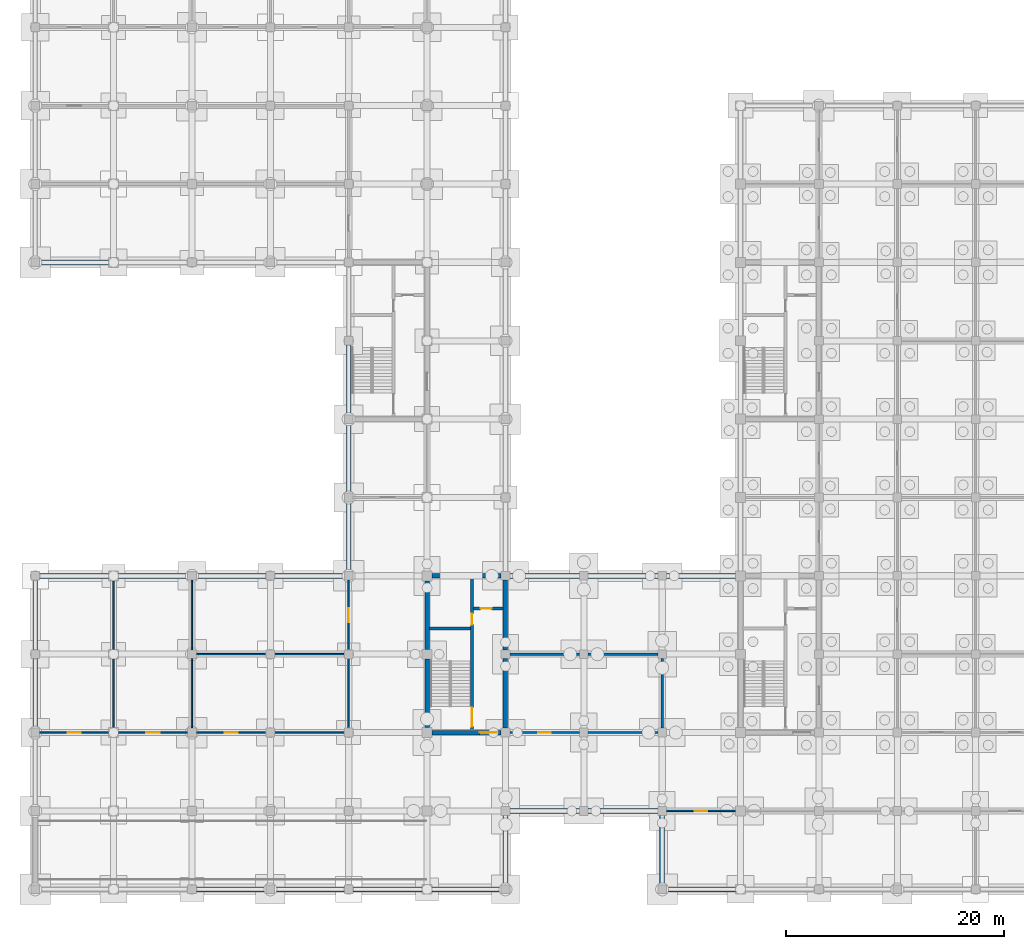
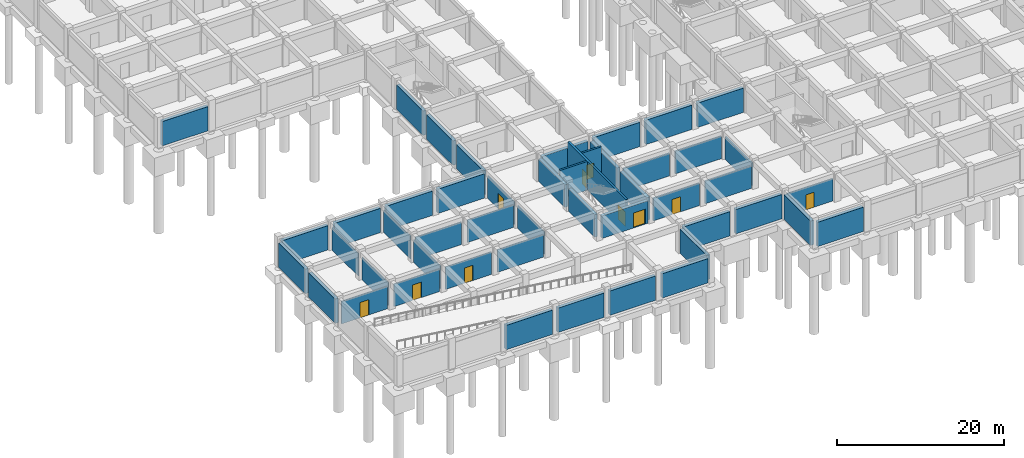
# One storey, part 14 of 25: 49 walls, 10 doors, 10 openings.
"""IFC4 building model written with IfcOpenShell, lengths in metres."""

from ifc_helpers import new_model, si_unit, direction, frame, frame_2d, origin, place, context, subcontext, project, spatial, rectangle, extrude, material, layer, layer_set, type_object, element, fill, save


model = new_model("IFC4")

# Units and contexts
model_context = context("Model", 3, precision=1e-05, world=origin(), true_north=direction((0.0, 1.0)))
body_context = subcontext(model_context, "Body", "Model", "MODEL_VIEW")
ifc_project = project(units=[si_unit("LENGTHUNIT", "METRE"), si_unit("AREAUNIT", "SQUARE_METRE"), si_unit("VOLUMEUNIT", "CUBIC_METRE"), si_unit("PLANEANGLEUNIT", "RADIAN"), si_unit("MASSUNIT", "GRAM", prefix="KILO")], contexts=[model_context])

# Site, building, storey
site_placement = place(None, origin())
site = spatial("IfcSite", under=ifc_project, at=site_placement, CompositionType="ELEMENT")
building_placement = place(site_placement, origin())
building = spatial("IfcBuilding", under=site, at=building_placement, Name="Cendaluz Park School", CompositionType="ELEMENT")
storey_placement = place(building_placement, frame((0.0, 0.0, -4.5)))
storey = spatial("IfcBuildingStorey", under=building, at=storey_placement, Name="B1", CompositionType="ELEMENT", Elevation=-4.5)

# Wall, opening, door
ifc_material_1 = material(Name="Gypsum Plasterboard on Cold-Formed Stud", Category="gypsum")
ifc_layer_1 = layer(ifc_material_1, 0.199951171875)
ifc_layer_set_1 = layer_set([ifc_layer_1], Name="Gypsum Plasterboard on Cold-Formed Stud")
wall_type_1 = type_object("IfcWallType", Name="W-AC20", PredefinedType="PARTITIONING", material=ifc_layer_set_1)
wall_1_placement = place(storey_placement, frame((43.60009765625, 14.39990234375, 0.0), z_axis=(0.0, 0.0, 1.0), x_axis=(1.0, 0.0, 0.0)))
wall_1 = element("IfcWall", 1, at=wall_1_placement, inside=storey, type_object=wall_type_1, Name="WL-BA-CF7", PredefinedType="PARTITIONING", context=body_context, shape_type="SweptSolid", body=[
    extrude(rectangle(XDim=6.39990234375, YDim=0.199951171875, at=frame_2d((3.199951171875, 0.0))), origin(), (0.0, 0.0, 1.0), 3.300048828125),
])
opening_1_placement = place(wall_1_placement, frame((2.6201171875, 0.0, 0.0)))
opening_1 = element("IfcOpeningElement", 2, at=opening_1_placement, cuts=wall_1, Name="Opening DCL-07", PredefinedType="OPENING", context=body_context, shape_type="SweptSolid", body=[
    extrude(rectangle(XDim=1.159912109375, YDim=2.219970703125, at=frame_2d((0.580078125, 1.10986328125))), frame((0.0, 0.112060546875, 0.0), z_axis=(0.0, -1.0, 0.0), x_axis=(1.0, 0.0, 0.0)), (0.0, 0.0, 1.0), 0.223876953125),
])
ifc_material_2 = material(Name="Solid Core Hardwood", Category="wood")
door_type_1 = type_object("IfcDoorType", Name="DCL-07", OperationType="NOTDEFINED", PredefinedType="DOOR", material=ifc_material_2)
door_1_placement = place(opening_1_placement, origin())
door_1 = element("IfcDoor", 3, at=door_1_placement, inside=storey, type_object=door_type_1, Name="D-B1-051", OperationType="SINGLE_SWING_RIGHT", OverallHeight=2.219970703125, OverallWidth=1.159912109375, PredefinedType="DOOR", context=body_context, shape_type="SweptSolid", body=[
    extrude(rectangle(XDim=1.159912109375, YDim=2.219970703125, at=frame_2d((0.580078125, 1.10986328125))), frame((0.0, 0.02490234375, 0.0), z_axis=(0.0, -1.0, 0.0), x_axis=(1.0, 0.0, 0.0)), (0.0, 0.0, 1.0), 0.050048828125),
])
fill(opening_1, door_1)

# Walls
for number, where, z_axis, x_axis, name in (
    (4, (43.60009765625, 21.60009765625, 0.0), (0.0, 0.0, 1.0), (1.0, 0.0, 0.0), "WL-BA-CF8"),
    (5, (50.800048828125, 14.39990234375, 0.0), (0.0, 0.0, 1.0), (1.0, 0.0, 0.0), "WL-BA-CF9"),
    (6, (50.800048828125, 21.60009765625, 0.0), (0.0, 0.0, 1.0), (1.0, 0.0, 0.0), "WL-BA-CG0"),
    (7, (57.60009765625, 14.800048828125, 0.0), (0.0, 0.0, 1.0), (0.0, 1.0, 0.0), "WL-BA-CG1"),
):
    element("IfcWall", number, at=place(storey_placement, frame(where, z_axis=z_axis, x_axis=x_axis)), inside=storey, type_object=wall_type_1, Name=name, PredefinedType="PARTITIONING", context=body_context, shape_type="SweptSolid", body=[
        extrude(rectangle(XDim=6.39990234375, YDim=0.199951171875, at=frame_2d((3.199951171875, 0.0))), origin(), (0.0, 0.0, 1.0), 3.300048828125),
    ])

# Wall, openings, doors
ifc_material_3 = material(Name="Concrete C40/50", Category="concrete")
ifc_layer_2 = layer(ifc_material_3, 0.280029296875)
ifc_layer_set_2 = layer_set([ifc_layer_2], Name="Concrete C40/50")
wall_type_2 = type_object("IfcWallType", Name="W-FW28", PredefinedType="SHEAR", material=ifc_layer_set_2)
wall_2_placement = place(storey_placement, frame((40.1201171875, 14.60009765625, 0.0), z_axis=(0.0, 0.0, 1.0), x_axis=(0.0, 1.0, 0.0)))
wall_2 = element("IfcWall", 8, at=wall_2_placement, inside=storey, type_object=wall_type_2, Name="WL-BA-BV0", PredefinedType="SHEAR", context=body_context, shape_type="SweptSolid", body=[
    extrude(rectangle(XDim=14.0, YDim=0.280029296875, at=frame_2d((7.0, 0.0))), origin(), (0.0, 0.0, 1.0), 4.199951171875),
])
opening_2_placement = place(wall_2_placement, frame((0.35009765625, 0.0, 0.0)))
opening_2 = element("IfcOpeningElement", 9, at=opening_2_placement, cuts=wall_2, Name="Opening DST-03", PredefinedType="OPENING", context=body_context, shape_type="SweptSolid", body=[
    extrude(rectangle(XDim=1.75, YDim=2.14990234375, at=frame_2d((0.875, 1.074951171875))), frame((0.0, 0.152099609375, 0.0), z_axis=(0.0, -1.0, 0.0), x_axis=(1.0, 0.0, 0.0)), (0.0, 0.0, 1.0), 0.303955078125),
])
opening_3_placement = place(wall_2_placement, frame((9.719970703125, 0.0, 0.0)))
opening_3 = element("IfcOpeningElement", 10, at=opening_3_placement, cuts=wall_2, Name="Opening DFC-01", PredefinedType="OPENING", context=body_context, shape_type="SweptSolid", body=[
    extrude(rectangle(XDim=1.0, YDim=2.14990234375, at=frame_2d((0.5, 1.074951171875))), frame((0.0, 0.152099609375, 0.0), z_axis=(0.0, -1.0, 0.0), x_axis=(1.0, 0.0, 0.0)), (0.0, 0.0, 1.0), 0.303955078125),
])
door_type_2 = type_object("IfcDoorType", Name="DFC-01", OperationType="NOTDEFINED", PredefinedType="DOOR", material=ifc_material_2)
door_2_placement = place(opening_3_placement, origin())
door_2 = element("IfcDoor", 11, at=door_2_placement, inside=storey, type_object=door_type_2, Name="D-B1-021", OperationType="SINGLE_SWING_LEFT", OverallHeight=2.14990234375, OverallWidth=1.0, PredefinedType="DOOR", context=body_context, shape_type="SweptSolid", body=[
    extrude(rectangle(XDim=1.0, YDim=2.14990234375, at=frame_2d((0.5, 1.074951171875))), frame((0.0, 0.02490234375, 0.0), z_axis=(0.0, -1.0, 0.0), x_axis=(1.0, 0.0, 0.0)), (0.0, 0.0, 1.0), 0.050048828125),
])
fill(opening_3, door_2)
door_type_3 = type_object("IfcDoorType", Name="DST-03", OperationType="DOUBLE_DOOR_SINGLE_SWING", PredefinedType="DOOR", material=ifc_material_2)
door_3_placement = place(opening_2_placement, origin())
door_3 = element("IfcDoor", 12, at=door_3_placement, inside=storey, type_object=door_type_3, Name="D-B1-020", OperationType="DOUBLE_DOOR_SINGLE_SWING", OverallHeight=2.14990234375, OverallWidth=1.75, PredefinedType="DOOR", context=body_context, shape_type="SweptSolid", body=[
    extrude(rectangle(XDim=1.75, YDim=2.14990234375, at=frame_2d((0.875, 1.074951171875))), frame((0.0, 0.02490234375, 0.0), z_axis=(0.0, -1.0, 0.0), x_axis=(1.0, 0.0, 0.0)), (0.0, 0.0, 1.0), 0.050048828125),
])
fill(opening_2, door_3)

# Wall
wall_3_placement = place(storey_placement, frame((36.199951171875, 23.97998046875, 0.0), z_axis=(0.0, 0.0, 1.0), x_axis=(1.0, 0.0, 0.0)))
element("IfcWall", 13, at=wall_3_placement, inside=storey, type_object=wall_type_2, Name="WL-BA-BV1", PredefinedType="SHEAR", context=body_context, shape_type="SweptSolid", body=[
    extrude(rectangle(XDim=3.780029296875, YDim=0.280029296875, at=frame_2d((1.89013671875, 0.0))), origin(), (0.0, 0.0, 1.0), 4.199951171875),
])

# Wall, opening, door
wall_4_placement = place(storey_placement, frame((40.280029296875, 25.800048828125, 0.0), z_axis=(0.0, 0.0, 1.0), x_axis=(1.0, 0.0, 0.0)))
wall_4 = element("IfcWall", 14, at=wall_4_placement, inside=storey, type_object=wall_type_2, Name="WL-BA-BV2", PredefinedType="SHEAR", context=body_context, shape_type="SweptSolid", body=[
    extrude(rectangle(XDim=2.679931640625, YDim=0.280029296875, at=frame_2d((1.33984375, 0.0))), origin(), (0.0, 0.0, 1.0), 4.199951171875),
])
opening_4_placement = place(wall_4_placement, frame((0.64990234375, 0.0, 0.0)))
opening_4 = element("IfcOpeningElement", 15, at=opening_4_placement, cuts=wall_4, Name="Opening DFC-01", PredefinedType="OPENING", context=body_context, shape_type="SweptSolid", body=[
    extrude(rectangle(XDim=1.0, YDim=2.14990234375, at=frame_2d((0.5, 1.074951171875))), frame((0.0, 0.152099609375, 0.0), z_axis=(0.0, -1.0, 0.0), x_axis=(1.0, 0.0, 0.0)), (0.0, 0.0, 1.0), 0.303955078125),
])
door_4_placement = place(opening_4_placement, frame((1.0, 0.0, 0.0), z_axis=(0.0, 0.0, 1.0), x_axis=(-1.0, 0.0, 0.0)))
door_4 = element("IfcDoor", 16, at=door_4_placement, inside=storey, type_object=door_type_2, Name="D-B1-022", OperationType="SINGLE_SWING_RIGHT", OverallHeight=2.14990234375, OverallWidth=1.0, PredefinedType="DOOR", context=body_context, shape_type="SweptSolid", body=[
    extrude(rectangle(XDim=1.0, YDim=2.14990234375, at=frame_2d((0.5, 1.074951171875))), frame((0.0, 0.02490234375, 0.0), z_axis=(0.0, -1.0, 0.0), x_axis=(1.0, 0.0, 0.0)), (0.0, 0.0, 1.0), 0.050048828125),
])
fill(opening_4, door_4)

# Walls
ifc_layer_3 = layer(ifc_material_3, 0.449951171875)
ifc_layer_set_3 = layer_set([ifc_layer_3], Name="Concrete C40/50")
wall_type_3 = type_object("IfcWallType", Name="W-RT45", PredefinedType="SOLIDWALL", material=ifc_layer_set_3)
wall_5_placement = place(storey_placement, frame((0.0, 14.800048828125, 0.0), z_axis=(0.0, 0.0, 1.0), x_axis=(0.0, 1.0, 0.0)))
element("IfcWall", 17, at=wall_5_placement, inside=storey, type_object=wall_type_3, Name="WL-BA-AA3", PredefinedType="SOLIDWALL", context=body_context, shape_type="SweptSolid", body=[
    extrude(rectangle(XDim=6.39990234375, YDim=0.449951171875, at=frame_2d((3.199951171875, 0.0))), origin(), (0.0, 0.0, 1.0), 3.570068359375),
])
wall_6_placement = place(storey_placement, frame((0.39990234375, 28.800048828125, 0.0), z_axis=(0.0, 0.0, 1.0), x_axis=(1.0, 0.0, 0.0)))
element("IfcWall", 18, at=wall_6_placement, inside=storey, type_object=wall_type_3, Name="WL-BA-AA4", PredefinedType="SOLIDWALL", context=body_context, shape_type="SweptSolid", body=[
    extrude(rectangle(XDim=6.35009765625, YDim=0.449951171875, at=frame_2d((3.175048828125, 0.0))), origin(), (0.0, 0.0, 1.0), 3.570068359375),
])
wall_7_placement = place(storey_placement, frame((0.0, 22.0, 0.0), z_axis=(0.0, 0.0, 1.0), x_axis=(0.0, 1.0, 0.0)))
element("IfcWall", 19, at=wall_7_placement, inside=storey, type_object=wall_type_3, Name="WL-BA-AA5", PredefinedType="SOLIDWALL", context=body_context, shape_type="SweptSolid", body=[
    extrude(rectangle(XDim=6.39990234375, YDim=0.449951171875, at=frame_2d((3.199951171875, 0.0))), origin(), (0.0, 0.0, 1.0), 3.570068359375),
])
for number, where, z_axis, x_axis, name in (
    (20, (0.39990234375, 57.60009765625, 0.0), (0.0, 0.0, 1.0), (1.0, 0.0, 0.0), "WL-BA-AA6"),
    (21, (7.64990234375, 28.800048828125, 0.0), (0.0, 0.0, 1.0), (1.0, 0.0, 0.0), "WL-BA-AB7"),
):
    element("IfcWall", number, at=place(storey_placement, frame(where, z_axis=z_axis, x_axis=x_axis)), inside=storey, type_object=wall_type_3, Name=name, PredefinedType="SOLIDWALL", context=body_context, shape_type="SweptSolid", body=[
        extrude(rectangle(XDim=6.35009765625, YDim=0.449951171875, at=frame_2d((3.175048828125, 0.0))), origin(), (0.0, 0.0, 1.0), 3.570068359375),
    ])
for number, where, z_axis, x_axis, name in (
    (22, (14.800048828125, 0.0, 0.0), (0.0, 0.0, 1.0), (1.0, 0.0, 0.0), "WL-BA-AC0"),
    (23, (14.800048828125, 28.800048828125, 0.0), (0.0, 0.0, 1.0), (1.0, 0.0, 0.0), "WL-BA-AC1"),
    (24, (22.0, 0.0, 0.0), (0.0, 0.0, 1.0), (1.0, 0.0, 0.0), "WL-BA-AC4"),
    (25, (22.0, 28.800048828125, 0.0), (0.0, 0.0, 1.0), (1.0, 0.0, 0.0), "WL-BA-AC5"),
):
    element("IfcWall", number, at=place(storey_placement, frame(where, z_axis=z_axis, x_axis=x_axis)), inside=storey, type_object=wall_type_3, Name=name, PredefinedType="SOLIDWALL", context=body_context, shape_type="SweptSolid", body=[
        extrude(rectangle(XDim=6.39990234375, YDim=0.449951171875, at=frame_2d((3.199951171875, 0.0))), origin(), (0.0, 0.0, 1.0), 3.570068359375),
    ])
wall_8_placement = place(storey_placement, frame((29.199951171875, 0.0, 0.0), z_axis=(0.0, 0.0, 1.0), x_axis=(1.0, 0.0, 0.0)))
element("IfcWall", 26, at=wall_8_placement, inside=storey, type_object=wall_type_3, Name="WL-BA-AC8", PredefinedType="SOLIDWALL", context=body_context, shape_type="SweptSolid", body=[
    extrude(rectangle(XDim=6.35009765625, YDim=0.449951171875, at=frame_2d((3.175048828125, 0.0))), origin(), (0.0, 0.0, 1.0), 3.570068359375),
])
for number, where, z_axis, x_axis, name in (
    (27, (28.800048828125, 29.199951171875, 0.0), (0.0, 0.0, 1.0), (0.0, 1.0, 0.0), "WL-BA-AC9"),
    (28, (28.800048828125, 36.39990234375, 0.0), (0.0, 0.0, 1.0), (0.0, 1.0, 0.0), "WL-BA-AD0"),
):
    element("IfcWall", number, at=place(storey_placement, frame(where, z_axis=z_axis, x_axis=x_axis)), inside=storey, type_object=wall_type_3, Name=name, PredefinedType="SOLIDWALL", context=body_context, shape_type="SweptSolid", body=[
        extrude(rectangle(XDim=6.400146484375, YDim=0.449951171875, at=frame_2d((3.2001953125, 0.0))), origin(), (0.0, 0.0, 1.0), 3.570068359375),
    ])
wall_9_placement = place(storey_placement, frame((36.449951171875, 0.0, 0.0), z_axis=(0.0, 0.0, 1.0), x_axis=(1.0, 0.0, 0.0)))
element("IfcWall", 29, at=wall_9_placement, inside=storey, type_object=wall_type_3, Name="WL-BA-AD2", PredefinedType="SOLIDWALL", context=body_context, shape_type="SweptSolid", body=[
    extrude(rectangle(XDim=6.35009765625, YDim=0.449951171875, at=frame_2d((3.175048828125, 0.0))), origin(), (0.0, 0.0, 1.0), 3.570068359375),
])
wall_10_placement = place(storey_placement, frame((43.199951171875, 0.39990234375, 0.0), z_axis=(0.0, 0.0, 1.0), x_axis=(0.0, 1.0, 0.0)))
element("IfcWall", 30, at=wall_10_placement, inside=storey, type_object=wall_type_3, Name="WL-BA-AD3", PredefinedType="SOLIDWALL", context=body_context, shape_type="SweptSolid", body=[
    extrude(rectangle(XDim=6.400146484375, YDim=0.449951171875, at=frame_2d((3.2001953125, 0.0))), origin(), (0.0, 0.0, 1.0), 3.570068359375),
])
for number, where, z_axis, x_axis, name in (
    (31, (43.60009765625, 7.199951171875, 0.0), (0.0, 0.0, 1.0), (1.0, 0.0, 0.0), "WL-BA-AE7"),
    (32, (43.60009765625, 28.800048828125, 0.0), (0.0, 0.0, 1.0), (1.0, 0.0, 0.0), "WL-BA-AE8"),
    (33, (50.800048828125, 7.199951171875, 0.0), (0.0, 0.0, 1.0), (1.0, 0.0, 0.0), "WL-BA-AE9"),
    (34, (50.800048828125, 28.800048828125, 0.0), (0.0, 0.0, 1.0), (1.0, 0.0, 0.0), "WL-BA-AF0"),
):
    element("IfcWall", number, at=place(storey_placement, frame(where, z_axis=z_axis, x_axis=x_axis)), inside=storey, type_object=wall_type_3, Name=name, PredefinedType="SOLIDWALL", context=body_context, shape_type="SweptSolid", body=[
        extrude(rectangle(XDim=6.39990234375, YDim=0.449951171875, at=frame_2d((3.199951171875, 0.0))), origin(), (0.0, 0.0, 1.0), 3.570068359375),
    ])
wall_11_placement = place(storey_placement, frame((58.0, 0.0, 0.0), z_axis=(0.0, 0.0, 1.0), x_axis=(1.0, 0.0, 0.0)))
element("IfcWall", 35, at=wall_11_placement, inside=storey, type_object=wall_type_3, Name="WL-BA-AF1", PredefinedType="SOLIDWALL", context=body_context, shape_type="SweptSolid", body=[
    extrude(rectangle(XDim=6.35009765625, YDim=0.449951171875, at=frame_2d((3.175048828125, 0.0))), origin(), (0.0, 0.0, 1.0), 3.570068359375),
])
wall_12_placement = place(storey_placement, frame((57.60009765625, 0.39990234375, 0.0), z_axis=(0.0, 0.0, 1.0), x_axis=(0.0, 1.0, 0.0)))
element("IfcWall", 36, at=wall_12_placement, inside=storey, type_object=wall_type_3, Name="WL-BA-AF2", PredefinedType="SOLIDWALL", context=body_context, shape_type="SweptSolid", body=[
    extrude(rectangle(XDim=6.400146484375, YDim=0.449951171875, at=frame_2d((3.2001953125, 0.0))), origin(), (0.0, 0.0, 1.0), 3.570068359375),
])
wall_13_placement = place(storey_placement, frame((58.0, 28.800048828125, 0.0), z_axis=(0.0, 0.0, 1.0), x_axis=(1.0, 0.0, 0.0)))
element("IfcWall", 37, at=wall_13_placement, inside=storey, type_object=wall_type_3, Name="WL-BA-AF3", PredefinedType="SOLIDWALL", context=body_context, shape_type="SweptSolid", body=[
    extrude(rectangle(XDim=6.35009765625, YDim=0.449951171875, at=frame_2d((3.175048828125, 0.0))), origin(), (0.0, 0.0, 1.0), 3.570068359375),
])
ifc_layer_4 = layer(ifc_material_3, 0.419921875)
ifc_layer_set_4 = layer_set([ifc_layer_4], Name="Concrete C40/50")
wall_type_4 = type_object("IfcWallType", Name="W-SH42", PredefinedType="SHEAR", material=ifc_layer_set_4)
wall_14_placement = place(storey_placement, frame((36.0, 14.85009765625, 0.0), z_axis=(0.0, 0.0, 1.0), x_axis=(0.0, 1.0, 0.0)))
element("IfcWall", 38, at=wall_14_placement, inside=storey, type_object=wall_type_4, Name="WL-BA-BU4", PredefinedType="SHEAR", context=body_context, shape_type="SweptSolid", body=[
    extrude(rectangle(XDim=6.2998046875, YDim=0.419921875, at=frame_2d((3.14990234375, 0.0))), origin(), (0.0, 0.0, 1.0), 3.300048828125),
])
wall_15_placement = place(storey_placement, frame((36.0, 22.050048828125, 0.0), z_axis=(0.0, 0.0, 1.0), x_axis=(0.0, 1.0, 0.0)))
element("IfcWall", 39, at=wall_15_placement, inside=storey, type_object=wall_type_4, Name="WL-BA-BU5", PredefinedType="SHEAR", context=body_context, shape_type="SweptSolid", body=[
    extrude(rectangle(XDim=6.300048828125, YDim=0.419921875, at=frame_2d((3.14990234375, 0.0))), origin(), (0.0, 0.0, 1.0), 3.300048828125),
])
for number, where, z_axis, x_axis, name in (
    (40, (43.199951171875, 14.800048828125, 0.0), (0.0, 0.0, 1.0), (0.0, 1.0, 0.0), "WL-BA-BU6"),
    (41, (43.199951171875, 22.0, 0.0), (0.0, 0.0, 1.0), (0.0, 1.0, 0.0), "WL-BA-BU7"),
):
    element("IfcWall", number, at=place(storey_placement, frame(where, z_axis=z_axis, x_axis=x_axis)), inside=storey, type_object=wall_type_4, Name=name, PredefinedType="SHEAR", context=body_context, shape_type="SweptSolid", body=[
        extrude(rectangle(XDim=6.39990234375, YDim=0.419921875, at=frame_2d((3.199951171875, 0.0))), origin(), (0.0, 0.0, 1.0), 3.300048828125),
    ])

# Wall, opening, door
wall_16_placement = place(storey_placement, frame((36.449951171875, 14.39990234375, 0.0), z_axis=(0.0, 0.0, 1.0), x_axis=(1.0, 0.0, 0.0)))
wall_16 = element("IfcWall", 42, at=wall_16_placement, inside=storey, type_object=wall_type_4, Name="WL-BA-BU8", PredefinedType="SHEAR", context=body_context, shape_type="SweptSolid", body=[
    extrude(rectangle(XDim=6.35009765625, YDim=0.419921875, at=frame_2d((3.175048828125, 0.0))), origin(), (0.0, 0.0, 1.0), 3.300048828125),
])
opening_5_placement = place(wall_16_placement, frame((4.3701171875, 0.0, 0.0)))
opening_5 = element("IfcOpeningElement", 43, at=opening_5_placement, cuts=wall_16, Name="Opening DLB-01", PredefinedType="OPENING", context=body_context, shape_type="SweptSolid", body=[
    extrude(rectangle(XDim=1.60009765625, YDim=2.199951171875, at=frame_2d((0.800048828125, 1.10009765625))), frame((0.0, 0.221923828125, 0.0), z_axis=(0.0, -1.0, 0.0), x_axis=(1.0, 0.0, 0.0)), (0.0, 0.0, 1.0), 0.44384765625),
])
door_type_4 = type_object("IfcDoorType", Name="DLB-01", OperationType="DOUBLE_DOOR_SINGLE_SWING", PredefinedType="DOOR", material=ifc_material_2)
door_5_placement = place(opening_5_placement, origin())
door_5 = element("IfcDoor", 44, at=door_5_placement, inside=storey, type_object=door_type_4, Name="D-B1-019", OperationType="DOUBLE_DOOR_SINGLE_SWING", OverallHeight=2.199951171875, OverallWidth=1.60009765625, PredefinedType="DOOR", context=body_context, shape_type="SweptSolid", body=[
    extrude(rectangle(XDim=1.60009765625, YDim=2.199951171875, at=frame_2d((0.800048828125, 1.10009765625))), frame((0.0, 0.02490234375, 0.0), z_axis=(0.0, -1.0, 0.0), x_axis=(1.0, 0.0, 0.0)), (0.0, 0.0, 1.0), 0.050048828125),
])
fill(opening_5, door_5)

# Walls
wall_17_placement = place(storey_placement, frame((36.449951171875, 28.800048828125, 0.0), z_axis=(0.0, 0.0, 1.0), x_axis=(1.0, 0.0, 0.0)))
element("IfcWall", 45, at=wall_17_placement, inside=storey, type_object=wall_type_4, Name="WL-BA-BU9", PredefinedType="SHEAR", context=body_context, shape_type="SweptSolid", body=[
    extrude(rectangle(XDim=6.35009765625, YDim=0.419921875, at=frame_2d((3.175048828125, 0.0))), origin(), (0.0, 0.0, 1.0), 3.300048828125),
])
wall_18_placement = place(storey_placement, frame((28.800048828125, 43.60009765625, 0.0), z_axis=(0.0, 0.0, 1.0), x_axis=(0.0, 1.0, 0.0)))
element("IfcWall", 46, at=wall_18_placement, inside=storey, type_object=wall_type_4, Name="WL-BA-BW2", PredefinedType="SHEAR", context=body_context, shape_type="SweptSolid", body=[
    extrude(rectangle(XDim=6.39990234375, YDim=0.419921875, at=frame_2d((3.199951171875, 0.0))), origin(), (0.0, 0.0, 1.0), 3.570068359375),
])

# Wall, opening, door
ifc_layer_5 = layer(ifc_material_1, 0.139892578125)
ifc_layer_set_5 = layer_set([ifc_layer_5], Name="Gypsum Plasterboard on Cold-Formed Stud")
wall_type_5 = type_object("IfcWallType", Name="W-ST14", PredefinedType="PARTITIONING", material=ifc_layer_set_5)
wall_19_placement = place(storey_placement, frame((58.0, 7.199951171875, 0.0), z_axis=(0.0, 0.0, 1.0), x_axis=(1.0, 0.0, 0.0)))
wall_19 = element("IfcWall", 47, at=wall_19_placement, inside=storey, type_object=wall_type_5, Name="WL-BA-CA7", PredefinedType="PARTITIONING", context=body_context, shape_type="SweptSolid", body=[
    extrude(rectangle(XDim=6.35009765625, YDim=0.139892578125, at=frame_2d((3.175048828125, 0.0))), origin(), (0.0, 0.0, 1.0), 3.300048828125),
])
opening_6_placement = place(wall_19_placement, frame((2.614990234375, 0.0, 0.0)))
opening_6 = element("IfcOpeningElement", 48, at=opening_6_placement, cuts=wall_19, Name="Opening DCL-06", PredefinedType="OPENING", context=body_context, shape_type="SweptSolid", body=[
    extrude(rectangle(XDim=1.1201171875, YDim=2.199951171875, at=frame_2d((0.56005859375, 1.10009765625))), frame((0.0, 0.08203125, 0.0), z_axis=(0.0, -1.0, 0.0), x_axis=(1.0, 0.0, 0.0)), (0.0, 0.0, 1.0), 0.163818359375),
])
door_type_5 = type_object("IfcDoorType", Name="DCL-06", OperationType="NOTDEFINED", PredefinedType="DOOR", material=ifc_material_2)
door_6_placement = place(opening_6_placement, frame((1.1201171875, 0.0, 0.0), z_axis=(0.0, 0.0, 1.0), x_axis=(-1.0, 0.0, 0.0)))
door_6 = element("IfcDoor", 49, at=door_6_placement, inside=storey, type_object=door_type_5, Name="D-B1-040", OperationType="SINGLE_SWING_LEFT", OverallHeight=2.199951171875, OverallWidth=1.1201171875, PredefinedType="DOOR", context=body_context, shape_type="SweptSolid", body=[
    extrude(rectangle(XDim=1.1201171875, YDim=2.199951171875, at=frame_2d((0.56005859375, 1.10009765625))), frame((0.0, 0.02490234375, 0.0), z_axis=(0.0, -1.0, 0.0), x_axis=(1.0, 0.0, 0.0)), (0.0, 0.0, 1.0), 0.050048828125),
])
fill(opening_6, door_6)

wall_20_placement = place(storey_placement, frame((0.39990234375, 14.39990234375, 0.0), z_axis=(0.0, 0.0, 1.0), x_axis=(1.0, 0.0, 0.0)))
wall_20 = element("IfcWall", 50, at=wall_20_placement, inside=storey, type_object=wall_type_5, Name="WL-BA-CG2", PredefinedType="PARTITIONING", context=body_context, shape_type="SweptSolid", body=[
    extrude(rectangle(XDim=6.35009765625, YDim=0.139892578125, at=frame_2d((3.175048828125, 0.0))), origin(), (0.0, 0.0, 1.0), 3.300048828125),
])
opening_7_placement = place(wall_20_placement, frame((2.574951171875, 0.0, 0.0)))
opening_7 = element("IfcOpeningElement", 51, at=opening_7_placement, cuts=wall_20, Name="Opening DCL-08", PredefinedType="OPENING", context=body_context, shape_type="SweptSolid", body=[
    extrude(rectangle(XDim=1.199951171875, YDim=2.239990234375, at=frame_2d((0.60009765625, 1.1201171875))), frame((0.0, 0.08203125, 0.0), z_axis=(0.0, -1.0, 0.0), x_axis=(1.0, 0.0, 0.0)), (0.0, 0.0, 1.0), 0.163818359375),
])
door_type_6 = type_object("IfcDoorType", Name="DCL-08", OperationType="NOTDEFINED", PredefinedType="DOOR", material=ifc_material_2)
door_7_placement = place(opening_7_placement, origin())
door_7 = element("IfcDoor", 52, at=door_7_placement, inside=storey, type_object=door_type_6, Name="D-B1-052", OperationType="SINGLE_SWING_LEFT", OverallHeight=2.239990234375, OverallWidth=1.199951171875, PredefinedType="DOOR", context=body_context, shape_type="SweptSolid", body=[
    extrude(rectangle(XDim=1.199951171875, YDim=2.239990234375, at=frame_2d((0.60009765625, 1.1201171875))), frame((0.0, 0.02490234375, 0.0), z_axis=(0.0, -1.0, 0.0), x_axis=(1.0, 0.0, 0.0)), (0.0, 0.0, 1.0), 0.050048828125),
])
fill(opening_7, door_7)

# Walls
wall_21_placement = place(storey_placement, frame((7.199951171875, 14.85009765625, 0.0), z_axis=(0.0, 0.0, 1.0), x_axis=(0.0, 1.0, 0.0)))
element("IfcWall", 53, at=wall_21_placement, inside=storey, type_object=wall_type_5, Name="WL-BA-CG3", PredefinedType="PARTITIONING", context=body_context, shape_type="SweptSolid", body=[
    extrude(rectangle(XDim=6.2998046875, YDim=0.139892578125, at=frame_2d((3.14990234375, 0.0))), origin(), (0.0, 0.0, 1.0), 3.300048828125),
])
wall_22_placement = place(storey_placement, frame((7.199951171875, 22.050048828125, 0.0), z_axis=(0.0, 0.0, 1.0), x_axis=(0.0, 1.0, 0.0)))
element("IfcWall", 54, at=wall_22_placement, inside=storey, type_object=wall_type_5, Name="WL-BA-CG4", PredefinedType="PARTITIONING", context=body_context, shape_type="SweptSolid", body=[
    extrude(rectangle(XDim=6.300048828125, YDim=0.139892578125, at=frame_2d((3.14990234375, 0.0))), origin(), (0.0, 0.0, 1.0), 3.300048828125),
])

# Wall, opening, door
wall_23_placement = place(storey_placement, frame((7.64990234375, 14.39990234375, 0.0), z_axis=(0.0, 0.0, 1.0), x_axis=(1.0, 0.0, 0.0)))
wall_23 = element("IfcWall", 55, at=wall_23_placement, inside=storey, type_object=wall_type_5, Name="WL-BA-CG5", PredefinedType="PARTITIONING", context=body_context, shape_type="SweptSolid", body=[
    extrude(rectangle(XDim=6.35009765625, YDim=0.139892578125, at=frame_2d((3.175048828125, 0.0))), origin(), (0.0, 0.0, 1.0), 3.300048828125),
])
opening_8_placement = place(wall_23_placement, frame((2.554931640625, 0.0, 0.0)))
opening_8 = element("IfcOpeningElement", 56, at=opening_8_placement, cuts=wall_23, Name="Opening DCL-09", PredefinedType="OPENING", context=body_context, shape_type="SweptSolid", body=[
    extrude(rectangle(XDim=1.239990234375, YDim=2.260009765625, at=frame_2d((0.6201171875, 1.1298828125))), frame((0.0, 0.08203125, 0.0), z_axis=(0.0, -1.0, 0.0), x_axis=(1.0, 0.0, 0.0)), (0.0, 0.0, 1.0), 0.163818359375),
])
door_type_7 = type_object("IfcDoorType", Name="DCL-09", OperationType="NOTDEFINED", PredefinedType="DOOR", material=ifc_material_2)
door_8_placement = place(opening_8_placement, origin())
door_8 = element("IfcDoor", 57, at=door_8_placement, inside=storey, type_object=door_type_7, Name="D-B1-053", OperationType="SINGLE_SWING_RIGHT", OverallHeight=2.260009765625, OverallWidth=1.239990234375, PredefinedType="DOOR", context=body_context, shape_type="SweptSolid", body=[
    extrude(rectangle(XDim=1.239990234375, YDim=2.260009765625, at=frame_2d((0.6201171875, 1.1298828125))), frame((0.0, 0.02490234375, 0.0), z_axis=(0.0, -1.0, 0.0), x_axis=(1.0, 0.0, 0.0)), (0.0, 0.0, 1.0), 0.050048828125),
])
fill(opening_8, door_8)

# Walls
for number, where, z_axis, x_axis, name in (
    (58, (14.39990234375, 14.800048828125, 0.0), (0.0, 0.0, 1.0), (0.0, 1.0, 0.0), "WL-BA-CG6"),
    (59, (14.39990234375, 22.0, 0.0), (0.0, 0.0, 1.0), (0.0, 1.0, 0.0), "WL-BA-CG7"),
    (60, (14.800048828125, 21.60009765625, 0.0), (0.0, 0.0, 1.0), (1.0, 0.0, 0.0), "WL-BA-CG8"),
    (61, (22.0, 21.60009765625, 0.0), (0.0, 0.0, 1.0), (1.0, 0.0, 0.0), "WL-BA-CG9"),
):
    element("IfcWall", number, at=place(storey_placement, frame(where, z_axis=z_axis, x_axis=x_axis)), inside=storey, type_object=wall_type_5, Name=name, PredefinedType="PARTITIONING", context=body_context, shape_type="SweptSolid", body=[
        extrude(rectangle(XDim=6.39990234375, YDim=0.139892578125, at=frame_2d((3.199951171875, 0.0))), origin(), (0.0, 0.0, 1.0), 3.300048828125),
    ])

# Wall, opening, door
wall_24_placement = place(storey_placement, frame((28.800048828125, 22.0, 0.0), z_axis=(0.0, 0.0, 1.0), x_axis=(0.0, 1.0, 0.0)))
wall_24 = element("IfcWall", 62, at=wall_24_placement, inside=storey, type_object=wall_type_5, Name="WL-BA-CH0", PredefinedType="PARTITIONING", context=body_context, shape_type="SweptSolid", body=[
    extrude(rectangle(XDim=6.39990234375, YDim=0.139892578125, at=frame_2d((3.199951171875, 0.0))), origin(), (0.0, 0.0, 1.0), 3.300048828125),
])
opening_9_placement = place(wall_24_placement, frame((2.56005859375, 0.0, 0.0)))
opening_9 = element("IfcOpeningElement", 63, at=opening_9_placement, cuts=wall_24, Name="Opening DCL-10", PredefinedType="OPENING", context=body_context, shape_type="SweptSolid", body=[
    extrude(rectangle(XDim=1.280029296875, YDim=2.280029296875, at=frame_2d((0.64013671875, 1.14013671875))), frame((0.0, 0.08203125, 0.0), z_axis=(0.0, -1.0, 0.0), x_axis=(1.0, 0.0, 0.0)), (0.0, 0.0, 1.0), 0.163818359375),
])
door_type_8 = type_object("IfcDoorType", Name="DCL-10", OperationType="NOTDEFINED", PredefinedType="DOOR", material=ifc_material_2)
door_9_placement = place(opening_9_placement, origin())
door_9 = element("IfcDoor", 64, at=door_9_placement, inside=storey, type_object=door_type_8, Name="D-B1-054", OperationType="SINGLE_SWING_LEFT", OverallHeight=2.280029296875, OverallWidth=1.280029296875, PredefinedType="DOOR", context=body_context, shape_type="SweptSolid", body=[
    extrude(rectangle(XDim=1.280029296875, YDim=2.280029296875, at=frame_2d((0.64013671875, 1.14013671875))), frame((0.0, 0.02490234375, 0.0), z_axis=(0.0, -1.0, 0.0), x_axis=(1.0, 0.0, 0.0)), (0.0, 0.0, 1.0), 0.050048828125),
])
fill(opening_9, door_9)

wall_25_placement = place(storey_placement, frame((14.800048828125, 14.39990234375, 0.0), z_axis=(0.0, 0.0, 1.0), x_axis=(1.0, 0.0, 0.0)))
wall_25 = element("IfcWall", 65, at=wall_25_placement, inside=storey, type_object=wall_type_5, Name="WL-BA-CJ0", PredefinedType="PARTITIONING", context=body_context, shape_type="SweptSolid", body=[
    extrude(rectangle(XDim=6.39990234375, YDim=0.139892578125, at=frame_2d((3.199951171875, 0.0))), origin(), (0.0, 0.0, 1.0), 3.300048828125),
])
opening_10_placement = place(wall_25_placement, frame((2.60009765625, 0.0, 0.0)))
opening_10 = element("IfcOpeningElement", 66, at=opening_10_placement, cuts=wall_25, Name="Opening DCL-08", PredefinedType="OPENING", context=body_context, shape_type="SweptSolid", body=[
    extrude(rectangle(XDim=1.199951171875, YDim=2.239990234375, at=frame_2d((0.60009765625, 1.1201171875))), frame((0.0, 0.08203125, 0.0), z_axis=(0.0, -1.0, 0.0), x_axis=(1.0, 0.0, 0.0)), (0.0, 0.0, 1.0), 0.163818359375),
])
door_10_placement = place(opening_10_placement, origin())
door_10 = element("IfcDoor", 67, at=door_10_placement, inside=storey, type_object=door_type_6, Name="D-B1-062", OperationType="SINGLE_SWING_LEFT", OverallHeight=2.239990234375, OverallWidth=1.199951171875, PredefinedType="DOOR", context=body_context, shape_type="SweptSolid", body=[
    extrude(rectangle(XDim=1.199951171875, YDim=2.239990234375, at=frame_2d((0.60009765625, 1.1201171875))), frame((0.0, 0.02490234375, 0.0), z_axis=(0.0, -1.0, 0.0), x_axis=(1.0, 0.0, 0.0)), (0.0, 0.0, 1.0), 0.050048828125),
])
fill(opening_10, door_10)

# Walls
for number, where, z_axis, x_axis, name in (
    (68, (22.0, 14.39990234375, 0.0), (0.0, 0.0, 1.0), (1.0, 0.0, 0.0), "WL-BA-CJ1"),
    (69, (28.800048828125, 14.800048828125, 0.0), (0.0, 0.0, 1.0), (0.0, 1.0, 0.0), "WL-BA-CJ2"),
):
    element("IfcWall", number, at=place(storey_placement, frame(where, z_axis=z_axis, x_axis=x_axis)), inside=storey, type_object=wall_type_5, Name=name, PredefinedType="PARTITIONING", context=body_context, shape_type="SweptSolid", body=[
        extrude(rectangle(XDim=6.39990234375, YDim=0.139892578125, at=frame_2d((3.199951171875, 0.0))), origin(), (0.0, 0.0, 1.0), 3.300048828125),
    ])

save(model, "model.ifc")
